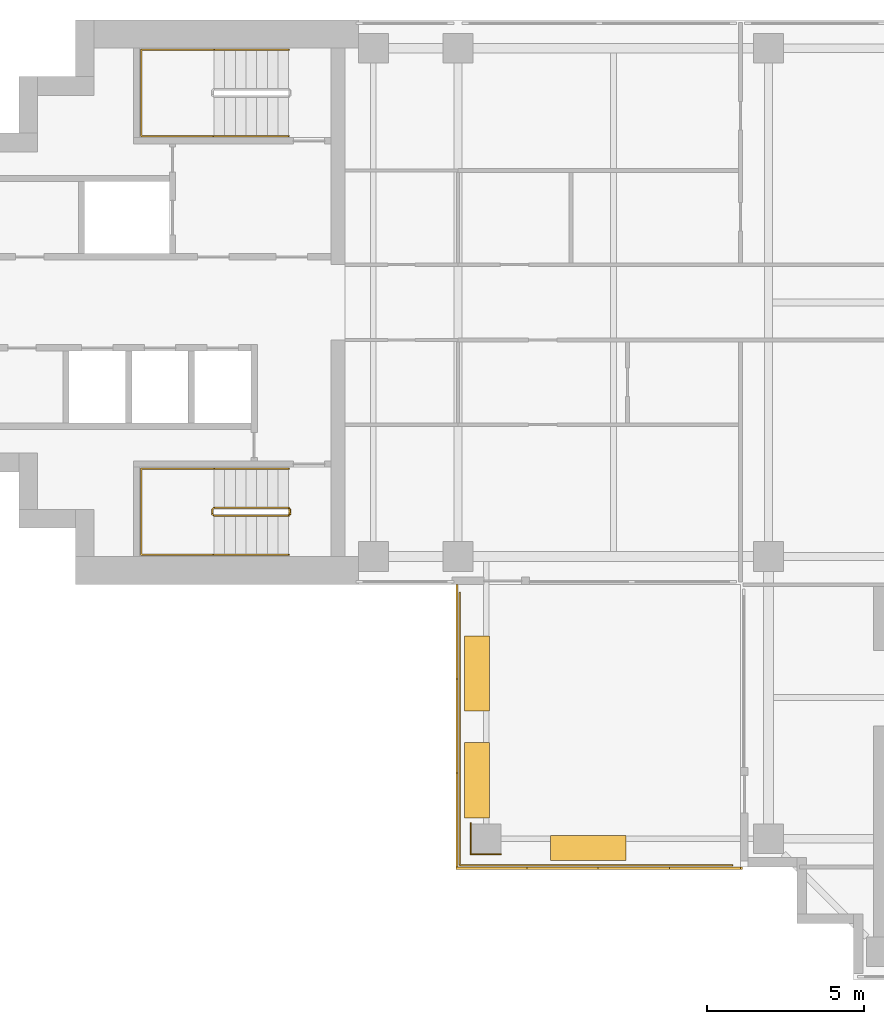
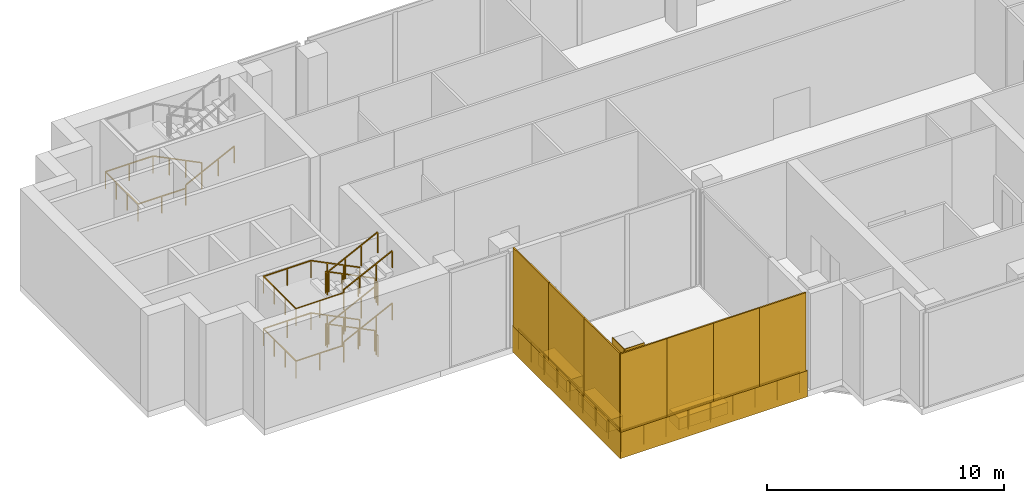
# One storey, part 10 of 12: 13 coverings, 5 railings.
"""IFC4 building model written with IfcOpenShell, lengths in metres."""

from ifc_helpers import new_model, si_unit, direction, frame, origin, origin_2d, place, context, subcontext, project, spatial, polyline, rectangle, outline, extrude, material, layer, layer_set, type_object, element, save


model = new_model("IFC4")

# Units and contexts
model_context = context("Model", 3, precision=1e-05, world=origin(), true_north=direction((0.0, 1.0)))
body_context = subcontext(model_context, "Body", "Model", "MODEL_VIEW")
ifc_project = project(units=[si_unit("LENGTHUNIT", "METRE"), si_unit("AREAUNIT", "SQUARE_METRE"), si_unit("VOLUMEUNIT", "CUBIC_METRE"), si_unit("PLANEANGLEUNIT", "RADIAN"), si_unit("MASSUNIT", "GRAM", prefix="KILO")], contexts=[model_context])

# Site, building, storey
site_placement = place(None, origin())
site = spatial("IfcSite", under=ifc_project, at=site_placement, CompositionType="ELEMENT")
building_placement = place(site_placement, origin())
building = spatial("IfcBuilding", under=site, at=building_placement, Name="Perihelion Cross Residences", CompositionType="ELEMENT")
storey_placement = place(building_placement, frame((0.0, 0.0, 222.60009765625)))
storey = spatial("IfcBuildingStorey", under=building, at=storey_placement, Name="L56", CompositionType="ELEMENT", Elevation=222.60009765625)

# Railing
ifc_material_1 = material(Name="Bronze anodised aluminium", Category="aluminium")
railing_type_1 = type_object("IfcRailingType", Name="Balcony guard 1100", PredefinedType="GUARDRAIL", material=ifc_material_1)
railing_1_placement = place(storey_placement, frame((-9.25, -17.93994140625, 0.0)))
element("IfcRailing", 1, at=railing_1_placement, inside=storey, type_object=railing_type_1, Name="Guard GU1 L56 pocket south-west 1", PredefinedType="GUARDRAIL", context=body_context, shape_type="SweptSolid", body=[
    extrude(rectangle(XDim=0.048095703125, YDim=0.048095703125, at=origin_2d()), frame((0.0, 0.0, 1.076171875), z_axis=(-1.0, 0.0, 0.0), x_axis=(0.0, -1.0, 0.0)), (0.0, 0.0, 1.0), 8.68994140625),
    extrude(rectangle(XDim=0.048095703125, YDim=0.048095703125, at=origin_2d()), frame((-8.68994140625, 0.0, 1.076171875), z_axis=(0.0, 1.0, 0.0), x_axis=(-1.0, 0.0, 0.0)), (0.0, 0.0, 1.0), 8.68994140625),
    extrude(rectangle(XDim=0.0419921875, YDim=0.0419921875, at=origin_2d()), origin(), (0.0, 0.0, 1.0), 1.052001953125),
    extrude(rectangle(XDim=0.0419921875, YDim=0.0419921875, at=origin_2d()), frame((-1.086181640625, 0.0, 0.0)), (0.0, 0.0, 1.0), 1.052001953125),
    extrude(rectangle(XDim=0.0419921875, YDim=0.0419921875, at=origin_2d()), frame((-2.17236328125, 0.0, 0.0)), (0.0, 0.0, 1.0), 1.052001953125),
    extrude(rectangle(XDim=0.0419921875, YDim=0.0419921875, at=origin_2d()), frame((-3.2587890625, 0.0, 0.0)), (0.0, 0.0, 1.0), 1.052001953125),
    extrude(rectangle(XDim=0.0419921875, YDim=0.0419921875, at=origin_2d()), frame((-4.344970703125, 0.0, 0.0)), (0.0, 0.0, 1.0), 1.052001953125),
    extrude(rectangle(XDim=0.0419921875, YDim=0.0419921875, at=origin_2d()), frame((-5.43115234375, 0.0, 0.0)), (0.0, 0.0, 1.0), 1.052001953125),
    extrude(rectangle(XDim=0.0419921875, YDim=0.0419921875, at=origin_2d()), frame((-6.517578125, 0.0, 0.0)), (0.0, 0.0, 1.0), 1.052001953125),
    extrude(rectangle(XDim=0.0419921875, YDim=0.0419921875, at=origin_2d()), frame((-7.603759765625, 0.0, 0.0)), (0.0, 0.0, 1.0), 1.052001953125),
    extrude(rectangle(XDim=0.0419921875, YDim=0.0419921875, at=origin_2d()), frame((-8.68994140625, 0.0, 0.0)), (0.0, 0.0, 1.0), 1.052001953125),
    extrude(rectangle(XDim=0.0419921875, YDim=0.0419921875, at=origin_2d()), frame((-8.68994140625, 1.086181640625, 0.0)), (0.0, 0.0, 1.0), 1.052001953125),
    extrude(rectangle(XDim=0.0419921875, YDim=0.0419921875, at=origin_2d()), frame((-8.68994140625, 2.17236328125, 0.0)), (0.0, 0.0, 1.0), 1.052001953125),
    extrude(rectangle(XDim=0.0419921875, YDim=0.0419921875, at=origin_2d()), frame((-8.68994140625, 3.2587890625, 0.0)), (0.0, 0.0, 1.0), 1.052001953125),
    extrude(rectangle(XDim=0.0419921875, YDim=0.0419921875, at=origin_2d()), frame((-8.68994140625, 4.344970703125, 0.0)), (0.0, 0.0, 1.0), 1.052001953125),
    extrude(rectangle(XDim=0.0419921875, YDim=0.0419921875, at=origin_2d()), frame((-8.68994140625, 5.43115234375, 0.0)), (0.0, 0.0, 1.0), 1.052001953125),
    extrude(rectangle(XDim=0.0419921875, YDim=0.0419921875, at=origin_2d()), frame((-8.68994140625, 6.517578125, 0.0)), (0.0, 0.0, 1.0), 1.052001953125),
    extrude(rectangle(XDim=0.0419921875, YDim=0.0419921875, at=origin_2d()), frame((-8.68994140625, 7.603759765625, 0.0)), (0.0, 0.0, 1.0), 1.052001953125),
    extrude(rectangle(XDim=0.0419921875, YDim=0.0419921875, at=origin_2d()), frame((-8.68994140625, 8.68994140625, 0.0)), (0.0, 0.0, 1.0), 1.052001953125),
])

# Coverings
ifc_material_2 = material(Name="Bronze anodised aluminium", Category="aluminium")
ifc_layer_1 = layer(ifc_material_2, 0.0400390625)
ifc_layer_set_1 = layer_set([ifc_layer_1], Name="Bronze column casing 40")
covering_type_1 = type_object("IfcCoveringType", Name="Bronze column casing 40", PredefinedType="CLADDING", material=ifc_layer_set_1)
covering_1_placement = place(storey_placement, frame((-17.594970703125, -17.10009765625, -0.300048828125), z_axis=(0.0, 0.0, 1.0), x_axis=(1.0, 0.0, 0.0)))
element("IfcCovering", 2, at=covering_1_placement, inside=storey, type_object=covering_type_1, Name="Cladding CC1 L56 casing east-west no. 1", PredefinedType="CLADDING", context=body_context, shape_type="SweptSolid", body=[
    extrude(rectangle(XDim=0.0400390625, YDim=1.030029296875, at=origin_2d()), origin(), (0.0, 0.0, 1.0), 5.25),
])
covering_2_placement = place(storey_placement, frame((-17.10009765625, -17.594970703125, -0.300048828125), z_axis=(0.0, 0.0, 1.0), x_axis=(1.0, 0.0, 0.0)))
element("IfcCovering", 3, at=covering_2_placement, inside=storey, type_object=covering_type_1, Name="Cladding CC1 L56 casing north-south no. 1", PredefinedType="CLADDING", context=body_context, shape_type="SweptSolid", body=[
    extrude(rectangle(XDim=0.949951171875, YDim=0.0400390625, at=origin_2d()), origin(), (0.0, 0.0, 1.0), 5.25),
])
ifc_material_3 = material(Name="Precast concrete C40/50", Category="concrete")
covering_type_2 = type_object("IfcCoveringType", Name="Planter box 2400", PredefinedType="USERDEFINED", material=ifc_material_3)
for number, where, z_axis, x_axis, name in (
    (4, (-13.85009765625, -17.389892578125, -0.000244140625), (0.0, 0.0, 1.0), (-1.0, 0.0, 0.0), "Planter PT1 L56 pocket south-west 1"),
    (5, (-17.389892578125, -15.22998046875, -0.000244140625), (0.0, 0.0, 1.0), (0.0, 1.0, 0.0), "Planter PT1 L56 pocket south-west 2"),
    (6, (-17.389892578125, -11.830078125, -0.000244140625), (0.0, 0.0, 1.0), (0.0, 1.0, 0.0), "Planter PT1 L56 pocket south-west 3"),
):
    element("IfcCovering", number, at=place(storey_placement, frame(where, z_axis=z_axis, x_axis=x_axis)), inside=storey, type_object=covering_type_2, Name=name, ObjectType="PLANTER", PredefinedType="USERDEFINED", context=body_context, shape_type="SweptSolid", body=[
        extrude(rectangle(XDim=2.39990234375, YDim=0.800048828125, at=origin_2d()), origin(), (0.0, 0.0, 1.0), 0.60009765625),
    ])
ifc_material_4 = material(Name="Bronze anodised aluminium", Category="aluminium")
ifc_layer_2 = layer(ifc_material_4, 0.070068359375)
ifc_layer_set_2 = layer_set([ifc_layer_2], Name="Pocket fascia 1350")
covering_type_3 = type_object("IfcCoveringType", Name="Pocket fascia 1350", PredefinedType="CLADDING", material=ifc_layer_set_2)
covering_3_placement = place(storey_placement, frame((0.0, 0.0, -0.25)))
element("IfcCovering", 7, at=covering_3_placement, inside=storey, type_object=covering_type_3, Name="Fascia BF2 L56 pocket south-west 1", PredefinedType="CLADDING", context=body_context, shape_type="SweptSolid", body=[
    extrude(outline(polyline([(-18.070068359375, -18.070068359375), (-8.929931640625, -18.070068359375), (-8.929931640625, -18.0), (-9.0, -18.0), (-9.0, -18.0), (-18.0, -18.0), (-18.0, -9.0), (-18.0, -9.0), (-18.0, -8.929931640625), (-18.070068359375, -8.929931640625), (-18.070068359375, -18.070068359375)])), origin(), (0.0, 0.0, 1.0), 1.349853515625),
])
ifc_material_5 = material(Name="Bronze perforated aluminium", Category="aluminium")
ifc_layer_3 = layer(ifc_material_5, 0.070068359375)
ifc_layer_set_3 = layer_set([ifc_layer_3], Name="Pocket solar screen, bronze perforated")
covering_type_4 = type_object("IfcCoveringType", Name="Pocket solar screen, bronze perforated", PredefinedType="CLADDING", material=ifc_layer_set_3)
covering_4_placement = place(storey_placement, frame((0.0, 0.0, 1.099853515625)))
element("IfcCovering", 8, at=covering_4_placement, inside=storey, type_object=covering_type_4, Name="Solar screen PS1 L56 pocket south-west no. 1", PredefinedType="CLADDING", context=body_context, shape_type="SweptSolid", body=[
    extrude(outline(polyline([(-18.0, -18.0), (-18.0, -15.0), (-18.070068359375, -15.0), (-18.070068359375, -18.0), (-18.0, -18.0)])), origin(), (0.0, 0.0, 1.0), 4.050048828125),
])
covering_5_placement = place(storey_placement, frame((0.0, 0.0, 1.099853515625)))
element("IfcCovering", 9, at=covering_5_placement, inside=storey, type_object=covering_type_4, Name="Solar screen PS1 L56 pocket south-west no. 2", PredefinedType="CLADDING", context=body_context, shape_type="SweptSolid", body=[
    extrude(outline(polyline([(-18.0, -15.0), (-18.0, -12.0), (-18.070068359375, -12.0), (-18.070068359375, -15.0), (-18.0, -15.0)])), origin(), (0.0, 0.0, 1.0), 4.050048828125),
])
covering_6_placement = place(storey_placement, frame((0.0, 0.0, 1.099853515625)))
element("IfcCovering", 10, at=covering_6_placement, inside=storey, type_object=covering_type_4, Name="Solar screen PS1 L56 pocket south-west no. 3", PredefinedType="CLADDING", context=body_context, shape_type="SweptSolid", body=[
    extrude(outline(polyline([(-18.0, -12.0), (-18.0, -9.0), (-18.070068359375, -9.0), (-18.070068359375, -12.0), (-18.0, -12.0)])), origin(), (0.0, 0.0, 1.0), 4.050048828125),
])
covering_7_placement = place(storey_placement, frame((0.0, 0.0, 1.099853515625)))
element("IfcCovering", 11, at=covering_7_placement, inside=storey, type_object=covering_type_4, Name="Solar screen PS1 L56 pocket south-west no. 4", PredefinedType="CLADDING", context=body_context, shape_type="SweptSolid", body=[
    extrude(outline(polyline([(-15.802490234375, -18.070068359375), (-15.802490234375, -18.0), (-18.070068359375, -18.0), (-18.070068359375, -18.070068359375), (-15.802490234375, -18.070068359375)])), origin(), (0.0, 0.0, 1.0), 4.050048828125),
])
covering_8_placement = place(storey_placement, frame((0.0, 0.0, 1.099853515625)))
element("IfcCovering", 12, at=covering_8_placement, inside=storey, type_object=covering_type_4, Name="Solar screen PS1 L56 pocket south-west no. 5", PredefinedType="CLADDING", context=body_context, shape_type="SweptSolid", body=[
    extrude(outline(polyline([(-13.534912109375, -18.070068359375), (-13.534912109375, -18.0), (-15.802490234375, -18.0), (-15.802490234375, -18.070068359375), (-13.534912109375, -18.070068359375)])), origin(), (0.0, 0.0, 1.0), 4.050048828125),
])
covering_9_placement = place(storey_placement, frame((0.0, 0.0, 1.099853515625)))
element("IfcCovering", 13, at=covering_9_placement, inside=storey, type_object=covering_type_4, Name="Solar screen PS1 L56 pocket south-west no. 6", PredefinedType="CLADDING", context=body_context, shape_type="SweptSolid", body=[
    extrude(outline(polyline([(-11.267578125, -18.070068359375), (-11.267578125, -18.0), (-13.534912109375, -18.0), (-13.534912109375, -18.070068359375), (-11.267578125, -18.070068359375)])), origin(), (0.0, 0.0, 1.0), 4.050048828125),
])
covering_10_placement = place(storey_placement, frame((0.0, 0.0, 1.099853515625)))
element("IfcCovering", 14, at=covering_10_placement, inside=storey, type_object=covering_type_4, Name="Solar screen PS1 L56 pocket south-west no. 7", PredefinedType="CLADDING", context=body_context, shape_type="SweptSolid", body=[
    extrude(outline(polyline([(-9.0, -18.070068359375), (-9.0, -18.0), (-11.267578125, -18.0), (-11.267578125, -18.070068359375), (-9.0, -18.070068359375)])), origin(), (0.0, 0.0, 1.0), 4.050048828125),
])

# Railings
ifc_material_6 = material(Name="Stainless steel", Category="steel")
railing_type_2 = type_object("IfcRailingType", Name="Stair guard 1100", PredefinedType="GUARDRAIL", material=ifc_material_6)
railing_2_placement = place(storey_placement, frame((-23.35009765625, -6.75, 0.0)))
element("IfcRailing", 15, at=railing_2_placement, inside=storey, type_object=railing_type_2, Name="L56 ST-W2 stair guard 1", PredefinedType="GUARDRAIL", context=body_context, shape_type="SweptSolid", body=[
    extrude(rectangle(XDim=0.048095703125, YDim=0.048095703125, at=origin_2d()), frame((0.0, 0.0, 1.076171875), z_axis=(0.0, 1.0, 0.0), x_axis=(-1.0, 0.0, 0.0)), (0.0, 0.0, 1.0), 0.14990234375),
    extrude(rectangle(XDim=0.048095703125, YDim=0.048095703125, at=origin_2d()), frame((0.0, 0.14990234375, 1.076171875), z_axis=(-0.272333783174, 0.273668752699, 0.922463942026), x_axis=(-0.708833529934, -0.705375805398, 0.0)), (0.0, 0.0, 1.0), 0.182861328125),
    extrude(rectangle(XDim=0.048095703125, YDim=0.048095703125, at=origin_2d()), frame((-0.0498046875, 0.199951171875, 1.24462890625), z_axis=(-0.895764654725, 0.0, 0.444528608017), x_axis=(0.0, -1.0, 0.0)), (0.0, 0.0, 1.0), 2.656982421875),
    extrude(rectangle(XDim=0.048095703125, YDim=0.048095703125, at=origin_2d()), frame((-2.429931640625, 0.199951171875, 2.42578125), z_axis=(-0.707106781187, -0.707106781187, 0.0), x_axis=(0.707106781187, -0.707106781187, 0.0)), (0.0, 0.0, 1.0), 0.07080078125),
    extrude(rectangle(XDim=0.048095703125, YDim=0.048095703125, at=origin_2d()), frame((-2.47998046875, 0.14990234375, 2.42578125), z_axis=(0.0, -1.0, 0.0), x_axis=(1.0, 0.0, 0.0)), (0.0, 0.0, 1.0), 0.14990234375),
    extrude(rectangle(XDim=0.048095703125, YDim=0.048095703125, at=origin_2d()), frame((-2.47998046875, 0.0, 2.42578125), z_axis=(0.273569069059, -0.273569069059, 0.922127935218), x_axis=(0.707106781187, 0.707106781187, 0.0)), (0.0, 0.0, 1.0), 0.182861328125),
    extrude(rectangle(XDim=0.048095703125, YDim=0.048095703125, at=origin_2d()), frame((-2.429931640625, -0.050048828125, 2.5947265625), z_axis=(0.895728066128, 0.0, 0.444602329674), x_axis=(0.0, 1.0, 0.0)), (0.0, 0.0, 1.0), 2.6572265625),
    extrude(rectangle(XDim=0.048095703125, YDim=0.048095703125, at=origin_2d()), frame((-0.0498046875, -0.050048828125, 3.77587890625), z_axis=(0.241699205484, 0.970351222016, 0.0), x_axis=(-0.970351222016, 0.241699205484, 0.0)), (0.0, 0.0, 1.0), 0.2060546875),
    extrude(rectangle(XDim=0.048095703125, YDim=0.048095703125, at=origin_2d()), frame((0.0, 0.14990234375, 3.77587890625), z_axis=(0.0, -1.0, 0.0), x_axis=(1.0, 0.0, 0.0)), (0.0, 0.0, 1.0), 0.14990234375),
    extrude(rectangle(XDim=0.048095703125, YDim=0.048095703125, at=origin_2d()), frame((0.0, 0.0, 3.77587890625), z_axis=(-0.187017651923, 0.750820867278, 0.633476458228), x_axis=(-0.970351222016, -0.241699205484, 0.0)), (0.0, 0.0, 1.0), 0.266357421875),
    extrude(rectangle(XDim=0.048095703125, YDim=0.048095703125, at=origin_2d()), frame((-0.0498046875, 0.199951171875, 3.94482421875), z_axis=(-0.895764654725, 0.0, 0.444528608017), x_axis=(0.0, -1.0, 0.0)), (0.0, 0.0, 1.0), 2.656982421875),
    extrude(rectangle(XDim=0.048095703125, YDim=0.048095703125, at=origin_2d()), frame((-2.429931640625, 0.199951171875, 5.1259765625), z_axis=(-0.707106781187, -0.707106781187, 0.0), x_axis=(0.707106781187, -0.707106781187, 0.0)), (0.0, 0.0, 1.0), 0.07080078125),
    extrude(rectangle(XDim=0.048095703125, YDim=0.048095703125, at=origin_2d()), frame((-2.47998046875, 0.14990234375, 5.1259765625), z_axis=(0.0, -1.0, 0.0), x_axis=(1.0, 0.0, 0.0)), (0.0, 0.0, 1.0), 0.14990234375),
    extrude(rectangle(XDim=0.048095703125, YDim=0.048095703125, at=origin_2d()), frame((-2.47998046875, 0.0, 5.1259765625), z_axis=(0.273232802156, -0.273232802156, 0.922327312645), x_axis=(0.707106781187, 0.707106781187, 0.0)), (0.0, 0.0, 1.0), 0.18310546875),
    extrude(rectangle(XDim=0.048095703125, YDim=0.048095703125, at=origin_2d()), frame((-2.429931640625, -0.050048828125, 5.294921875), z_axis=(0.895764654725, 0.0, 0.444528608017), x_axis=(0.0, 1.0, 0.0)), (0.0, 0.0, 1.0), 2.656982421875),
    extrude(rectangle(XDim=0.0419921875, YDim=0.0419921875, at=origin_2d()), origin(), (0.0, 0.0, 1.0), 1.052001953125),
    extrude(rectangle(XDim=0.0419921875, YDim=0.0419921875, at=origin_2d()), frame((0.0, 0.14990234375, 0.0)), (0.0, 0.0, 1.0), 1.052001953125),
    extrude(rectangle(XDim=0.0419921875, YDim=0.0419921875, at=origin_2d()), frame((-0.0498046875, 0.199951171875, 0.168701171875)), (0.0, 0.0, 1.0), 1.052001953125),
    extrude(rectangle(XDim=0.0419921875, YDim=0.0419921875, at=origin_2d()), frame((-0.84326171875, 0.199951171875, 0.5625)), (0.0, 0.0, 1.0), 1.052001953125),
    extrude(rectangle(XDim=0.0419921875, YDim=0.0419921875, at=origin_2d()), frame((-1.636474609375, 0.199951171875, 0.9560546875)), (0.0, 0.0, 1.0), 1.052001953125),
    extrude(rectangle(XDim=0.0419921875, YDim=0.0419921875, at=origin_2d()), frame((-2.429931640625, 0.199951171875, 1.349853515625)), (0.0, 0.0, 1.0), 1.052001953125),
    extrude(rectangle(XDim=0.0419921875, YDim=0.0419921875, at=origin_2d()), frame((-2.47998046875, 0.14990234375, 1.349853515625)), (0.0, 0.0, 1.0), 1.052001953125),
    extrude(rectangle(XDim=0.0419921875, YDim=0.0419921875, at=origin_2d()), frame((-2.47998046875, 0.0, 1.349853515625)), (0.0, 0.0, 1.0), 1.052001953125),
    extrude(rectangle(XDim=0.0419921875, YDim=0.0419921875, at=origin_2d()), frame((-2.429931640625, -0.050048828125, 1.5185546875)), (0.0, 0.0, 1.0), 1.052001953125),
    extrude(rectangle(XDim=0.0419921875, YDim=0.0419921875, at=origin_2d()), frame((-1.636474609375, -0.050048828125, 1.912353515625)), (0.0, 0.0, 1.0), 1.052001953125),
    extrude(rectangle(XDim=0.0419921875, YDim=0.0419921875, at=origin_2d()), frame((-0.84326171875, -0.050048828125, 2.30615234375)), (0.0, 0.0, 1.0), 1.052001953125),
    extrude(rectangle(XDim=0.0419921875, YDim=0.0419921875, at=origin_2d()), frame((-0.0498046875, -0.050048828125, 2.699951171875)), (0.0, 0.0, 1.0), 1.052001953125),
    extrude(rectangle(XDim=0.0419921875, YDim=0.0419921875, at=origin_2d()), frame((0.0, 0.14990234375, 2.699951171875)), (0.0, 0.0, 1.0), 1.052001953125),
    extrude(rectangle(XDim=0.0419921875, YDim=0.0419921875, at=origin_2d()), frame((0.0, 0.0, 2.699951171875)), (0.0, 0.0, 1.0), 1.052001953125),
    extrude(rectangle(XDim=0.0419921875, YDim=0.0419921875, at=origin_2d()), frame((-0.0498046875, 0.199951171875, 2.86865234375)), (0.0, 0.0, 1.0), 1.052001953125),
    extrude(rectangle(XDim=0.0419921875, YDim=0.0419921875, at=origin_2d()), frame((-0.84326171875, 0.199951171875, 3.262451171875)), (0.0, 0.0, 1.0), 1.052001953125),
    extrude(rectangle(XDim=0.0419921875, YDim=0.0419921875, at=origin_2d()), frame((-1.636474609375, 0.199951171875, 3.656005859375)), (0.0, 0.0, 1.0), 1.052001953125),
    extrude(rectangle(XDim=0.0419921875, YDim=0.0419921875, at=origin_2d()), frame((-2.429931640625, 0.199951171875, 4.0498046875)), (0.0, 0.0, 1.0), 1.052001953125),
    extrude(rectangle(XDim=0.0419921875, YDim=0.0419921875, at=origin_2d()), frame((-2.47998046875, 0.14990234375, 4.0498046875)), (0.0, 0.0, 1.0), 1.052001953125),
    extrude(rectangle(XDim=0.0419921875, YDim=0.0419921875, at=origin_2d()), frame((-2.47998046875, 0.0, 4.0498046875)), (0.0, 0.0, 1.0), 1.052001953125),
    extrude(rectangle(XDim=0.0419921875, YDim=0.0419921875, at=origin_2d()), frame((-2.429931640625, -0.050048828125, 4.21875)), (0.0, 0.0, 1.0), 1.052001953125),
    extrude(rectangle(XDim=0.0419921875, YDim=0.0419921875, at=origin_2d()), frame((-1.636474609375, -0.050048828125, 4.612548828125)), (0.0, 0.0, 1.0), 1.052001953125),
    extrude(rectangle(XDim=0.0419921875, YDim=0.0419921875, at=origin_2d()), frame((-0.84326171875, -0.050048828125, 5.006103515625)), (0.0, 0.0, 1.0), 1.052001953125),
    extrude(rectangle(XDim=0.0419921875, YDim=0.0419921875, at=origin_2d()), frame((-0.0498046875, -0.050048828125, 5.39990234375)), (0.0, 0.0, 1.0), 1.052001953125),
])
ifc_material_7 = material(Name="Stainless steel", Category="steel")
railing_type_3 = type_object("IfcRailingType", Name="Stair handrail 900", PredefinedType="HANDRAIL", material=ifc_material_7)
railing_3_placement = place(storey_placement, frame((-23.39990234375, 8.050048828125, 0.168701171875)))
element("IfcRailing", 16, at=railing_3_placement, inside=storey, type_object=railing_type_3, Name="L56 ST-W1 stair handrail 1", PredefinedType="HANDRAIL", context=body_context, shape_type="SweptSolid", body=[
    extrude(rectangle(XDim=0.048095703125, YDim=0.048095703125, at=origin_2d()), frame((0.0, 0.0, 0.8759765625), z_axis=(-0.895764654725, 0.0, 0.444528608017), x_axis=(0.0, -1.0, 0.0)), (0.0, 0.0, 1.0), 2.656982421875),
    extrude(rectangle(XDim=0.048095703125, YDim=0.048095703125, at=origin_2d()), frame((-2.380126953125, 0.0, 2.05712890625), z_axis=(-1.0, 0.0, 0.0), x_axis=(0.0, -1.0, 0.0)), (0.0, 0.0, 1.0), 2.320068359375),
    extrude(rectangle(XDim=0.048095703125, YDim=0.048095703125, at=origin_2d()), frame((-4.7001953125, 0.0, 2.05712890625), z_axis=(0.0, -1.0, 0.0), x_axis=(1.0, 0.0, 0.0)), (0.0, 0.0, 1.0), 2.75),
    extrude(rectangle(XDim=0.048095703125, YDim=0.048095703125, at=origin_2d()), frame((-4.7001953125, -2.75, 2.05712890625), z_axis=(1.0, 0.0, 0.0), x_axis=(0.0, 1.0, 0.0)), (0.0, 0.0, 1.0), 2.320068359375),
    extrude(rectangle(XDim=0.048095703125, YDim=0.048095703125, at=origin_2d()), frame((-2.380126953125, -2.75, 2.05712890625), z_axis=(0.0, 0.0, 1.0), x_axis=(1.0, 0.0, 0.0)), (0.0, 0.0, 1.0), 0.168701171875),
    extrude(rectangle(XDim=0.048095703125, YDim=0.048095703125, at=origin_2d()), frame((-2.380126953125, -2.75, 2.2255859375), z_axis=(0.895728066128, 0.0, 0.444602329674), x_axis=(0.0, 1.0, 0.0)), (0.0, 0.0, 1.0), 2.6572265625),
    extrude(rectangle(XDim=0.0419921875, YDim=0.0419921875, at=origin_2d()), origin(), (0.0, 0.0, 1.0), 0.851806640625),
    extrude(rectangle(XDim=0.0419921875, YDim=0.0419921875, at=origin_2d()), frame((-0.79345703125, 0.0, 0.393798828125)), (0.0, 0.0, 1.0), 0.851806640625),
    extrude(rectangle(XDim=0.0419921875, YDim=0.0419921875, at=origin_2d()), frame((-1.586669921875, 0.0, 0.787353515625)), (0.0, 0.0, 1.0), 0.851806640625),
    extrude(rectangle(XDim=0.0419921875, YDim=0.0419921875, at=origin_2d()), frame((-2.380126953125, 0.0, 1.18115234375)), (0.0, 0.0, 1.0), 0.851806640625),
    extrude(rectangle(XDim=0.0419921875, YDim=0.0419921875, at=origin_2d()), frame((-3.5400390625, 0.0, 1.18115234375)), (0.0, 0.0, 1.0), 0.851806640625),
    extrude(rectangle(XDim=0.0419921875, YDim=0.0419921875, at=origin_2d()), frame((-4.7001953125, 0.0, 1.18115234375)), (0.0, 0.0, 1.0), 0.851806640625),
    extrude(rectangle(XDim=0.0419921875, YDim=0.0419921875, at=origin_2d()), frame((-4.7001953125, -0.916748046875, 1.18115234375)), (0.0, 0.0, 1.0), 0.851806640625),
    extrude(rectangle(XDim=0.0419921875, YDim=0.0419921875, at=origin_2d()), frame((-4.7001953125, -1.833251953125, 1.18115234375)), (0.0, 0.0, 1.0), 0.851806640625),
    extrude(rectangle(XDim=0.0419921875, YDim=0.0419921875, at=origin_2d()), frame((-4.7001953125, -2.75, 1.18115234375)), (0.0, 0.0, 1.0), 0.851806640625),
    extrude(rectangle(XDim=0.0419921875, YDim=0.0419921875, at=origin_2d()), frame((-3.5400390625, -2.75, 1.18115234375)), (0.0, 0.0, 1.0), 0.851806640625),
    extrude(rectangle(XDim=0.0419921875, YDim=0.0419921875, at=origin_2d()), frame((-2.380126953125, -2.75, 1.18115234375)), (0.0, 0.0, 1.0), 0.851806640625),
    extrude(rectangle(XDim=0.0419921875, YDim=0.0419921875, at=origin_2d()), frame((-2.380126953125, -2.75, 1.349853515625)), (0.0, 0.0, 1.0), 0.851806640625),
    extrude(rectangle(XDim=0.0419921875, YDim=0.0419921875, at=origin_2d()), frame((-1.586669921875, -2.75, 1.74365234375)), (0.0, 0.0, 1.0), 0.851806640625),
    extrude(rectangle(XDim=0.0419921875, YDim=0.0419921875, at=origin_2d()), frame((-0.79345703125, -2.75, 2.137451171875)), (0.0, 0.0, 1.0), 0.851806640625),
    extrude(rectangle(XDim=0.0419921875, YDim=0.0419921875, at=origin_2d()), frame((0.0, -2.75, 2.53125)), (0.0, 0.0, 1.0), 0.851806640625),
])
railing_4_placement = place(storey_placement, frame((-23.39990234375, -5.300048828125, 0.168701171875)))
element("IfcRailing", 17, at=railing_4_placement, inside=storey, type_object=railing_type_3, Name="L56 ST-W2 stair handrail 1", PredefinedType="HANDRAIL", context=body_context, shape_type="SweptSolid", body=[
    extrude(rectangle(XDim=0.048095703125, YDim=0.048095703125, at=origin_2d()), frame((0.0, 0.0, 0.8759765625), z_axis=(-0.895764654725, 0.0, 0.444528608017), x_axis=(0.0, -1.0, 0.0)), (0.0, 0.0, 1.0), 2.656982421875),
    extrude(rectangle(XDim=0.048095703125, YDim=0.048095703125, at=origin_2d()), frame((-2.380126953125, 0.0, 2.05712890625), z_axis=(-1.0, 0.0, 0.0), x_axis=(0.0, -1.0, 0.0)), (0.0, 0.0, 1.0), 2.320068359375),
    extrude(rectangle(XDim=0.048095703125, YDim=0.048095703125, at=origin_2d()), frame((-4.7001953125, 0.0, 2.05712890625), z_axis=(0.0, -1.0, 0.0), x_axis=(1.0, 0.0, 0.0)), (0.0, 0.0, 1.0), 2.75),
    extrude(rectangle(XDim=0.048095703125, YDim=0.048095703125, at=origin_2d()), frame((-4.7001953125, -2.75, 2.05712890625), z_axis=(1.0, 0.0, 0.0), x_axis=(0.0, 1.0, 0.0)), (0.0, 0.0, 1.0), 2.320068359375),
    extrude(rectangle(XDim=0.048095703125, YDim=0.048095703125, at=origin_2d()), frame((-2.380126953125, -2.75, 2.05712890625), z_axis=(0.0, 0.0, 1.0), x_axis=(1.0, 0.0, 0.0)), (0.0, 0.0, 1.0), 0.168701171875),
    extrude(rectangle(XDim=0.048095703125, YDim=0.048095703125, at=origin_2d()), frame((-2.380126953125, -2.75, 2.2255859375), z_axis=(0.895728066128, 0.0, 0.444602329674), x_axis=(0.0, 1.0, 0.0)), (0.0, 0.0, 1.0), 2.6572265625),
    extrude(rectangle(XDim=0.0419921875, YDim=0.0419921875, at=origin_2d()), origin(), (0.0, 0.0, 1.0), 0.851806640625),
    extrude(rectangle(XDim=0.0419921875, YDim=0.0419921875, at=origin_2d()), frame((-0.79345703125, 0.0, 0.393798828125)), (0.0, 0.0, 1.0), 0.851806640625),
    extrude(rectangle(XDim=0.0419921875, YDim=0.0419921875, at=origin_2d()), frame((-1.586669921875, 0.0, 0.787353515625)), (0.0, 0.0, 1.0), 0.851806640625),
    extrude(rectangle(XDim=0.0419921875, YDim=0.0419921875, at=origin_2d()), frame((-2.380126953125, 0.0, 1.18115234375)), (0.0, 0.0, 1.0), 0.851806640625),
    extrude(rectangle(XDim=0.0419921875, YDim=0.0419921875, at=origin_2d()), frame((-3.5400390625, 0.0, 1.18115234375)), (0.0, 0.0, 1.0), 0.851806640625),
    extrude(rectangle(XDim=0.0419921875, YDim=0.0419921875, at=origin_2d()), frame((-4.7001953125, 0.0, 1.18115234375)), (0.0, 0.0, 1.0), 0.851806640625),
    extrude(rectangle(XDim=0.0419921875, YDim=0.0419921875, at=origin_2d()), frame((-4.7001953125, -0.916748046875, 1.18115234375)), (0.0, 0.0, 1.0), 0.851806640625),
    extrude(rectangle(XDim=0.0419921875, YDim=0.0419921875, at=origin_2d()), frame((-4.7001953125, -1.833251953125, 1.18115234375)), (0.0, 0.0, 1.0), 0.851806640625),
    extrude(rectangle(XDim=0.0419921875, YDim=0.0419921875, at=origin_2d()), frame((-4.7001953125, -2.75, 1.18115234375)), (0.0, 0.0, 1.0), 0.851806640625),
    extrude(rectangle(XDim=0.0419921875, YDim=0.0419921875, at=origin_2d()), frame((-3.5400390625, -2.75, 1.18115234375)), (0.0, 0.0, 1.0), 0.851806640625),
    extrude(rectangle(XDim=0.0419921875, YDim=0.0419921875, at=origin_2d()), frame((-2.380126953125, -2.75, 1.18115234375)), (0.0, 0.0, 1.0), 0.851806640625),
    extrude(rectangle(XDim=0.0419921875, YDim=0.0419921875, at=origin_2d()), frame((-2.380126953125, -2.75, 1.349853515625)), (0.0, 0.0, 1.0), 0.851806640625),
    extrude(rectangle(XDim=0.0419921875, YDim=0.0419921875, at=origin_2d()), frame((-1.586669921875, -2.75, 1.74365234375)), (0.0, 0.0, 1.0), 0.851806640625),
    extrude(rectangle(XDim=0.0419921875, YDim=0.0419921875, at=origin_2d()), frame((-0.79345703125, -2.75, 2.137451171875)), (0.0, 0.0, 1.0), 0.851806640625),
    extrude(rectangle(XDim=0.0419921875, YDim=0.0419921875, at=origin_2d()), frame((0.0, -2.75, 2.53125)), (0.0, 0.0, 1.0), 0.851806640625),
])
railing_5_placement = place(storey_placement, frame((-23.39990234375, -5.300048828125, 2.86865234375)))
element("IfcRailing", 18, at=railing_5_placement, inside=storey, type_object=railing_type_3, Name="L56 ST-W2 stair handrail 2", PredefinedType="HANDRAIL", context=body_context, shape_type="SweptSolid", body=[
    extrude(rectangle(XDim=0.048095703125, YDim=0.048095703125, at=origin_2d()), frame((0.0, 0.0, 0.8759765625), z_axis=(-0.895764654725, 0.0, 0.444528608017), x_axis=(0.0, -1.0, 0.0)), (0.0, 0.0, 1.0), 2.656982421875),
    extrude(rectangle(XDim=0.048095703125, YDim=0.048095703125, at=origin_2d()), frame((-2.380126953125, 0.0, 2.05712890625), z_axis=(-1.0, 0.0, 0.0), x_axis=(0.0, -1.0, 0.0)), (0.0, 0.0, 1.0), 2.320068359375),
    extrude(rectangle(XDim=0.048095703125, YDim=0.048095703125, at=origin_2d()), frame((-4.7001953125, 0.0, 2.05712890625), z_axis=(0.0, -1.0, 0.0), x_axis=(1.0, 0.0, 0.0)), (0.0, 0.0, 1.0), 2.75),
    extrude(rectangle(XDim=0.048095703125, YDim=0.048095703125, at=origin_2d()), frame((-4.7001953125, -2.75, 2.05712890625), z_axis=(1.0, 0.0, 0.0), x_axis=(0.0, 1.0, 0.0)), (0.0, 0.0, 1.0), 2.320068359375),
    extrude(rectangle(XDim=0.048095703125, YDim=0.048095703125, at=origin_2d()), frame((-2.380126953125, -2.75, 2.05712890625), z_axis=(0.0, 0.0, 1.0), x_axis=(1.0, 0.0, 0.0)), (0.0, 0.0, 1.0), 0.1689453125),
    extrude(rectangle(XDim=0.048095703125, YDim=0.048095703125, at=origin_2d()), frame((-2.380126953125, -2.75, 2.22607421875), z_axis=(0.895764654725, 0.0, 0.444528608017), x_axis=(0.0, 1.0, 0.0)), (0.0, 0.0, 1.0), 2.656982421875),
    extrude(rectangle(XDim=0.0419921875, YDim=0.0419921875, at=origin_2d()), origin(), (0.0, 0.0, 1.0), 0.851806640625),
    extrude(rectangle(XDim=0.0419921875, YDim=0.0419921875, at=origin_2d()), frame((-0.79345703125, 0.0, 0.393798828125)), (0.0, 0.0, 1.0), 0.851806640625),
    extrude(rectangle(XDim=0.0419921875, YDim=0.0419921875, at=origin_2d()), frame((-1.586669921875, 0.0, 0.787353515625)), (0.0, 0.0, 1.0), 0.851806640625),
    extrude(rectangle(XDim=0.0419921875, YDim=0.0419921875, at=origin_2d()), frame((-2.380126953125, 0.0, 1.18115234375)), (0.0, 0.0, 1.0), 0.851806640625),
    extrude(rectangle(XDim=0.0419921875, YDim=0.0419921875, at=origin_2d()), frame((-3.5400390625, 0.0, 1.18115234375)), (0.0, 0.0, 1.0), 0.851806640625),
    extrude(rectangle(XDim=0.0419921875, YDim=0.0419921875, at=origin_2d()), frame((-4.7001953125, 0.0, 1.18115234375)), (0.0, 0.0, 1.0), 0.851806640625),
    extrude(rectangle(XDim=0.0419921875, YDim=0.0419921875, at=origin_2d()), frame((-4.7001953125, -0.916748046875, 1.18115234375)), (0.0, 0.0, 1.0), 0.851806640625),
    extrude(rectangle(XDim=0.0419921875, YDim=0.0419921875, at=origin_2d()), frame((-4.7001953125, -1.833251953125, 1.18115234375)), (0.0, 0.0, 1.0), 0.851806640625),
    extrude(rectangle(XDim=0.0419921875, YDim=0.0419921875, at=origin_2d()), frame((-4.7001953125, -2.75, 1.18115234375)), (0.0, 0.0, 1.0), 0.851806640625),
    extrude(rectangle(XDim=0.0419921875, YDim=0.0419921875, at=origin_2d()), frame((-3.5400390625, -2.75, 1.18115234375)), (0.0, 0.0, 1.0), 0.851806640625),
    extrude(rectangle(XDim=0.0419921875, YDim=0.0419921875, at=origin_2d()), frame((-2.380126953125, -2.75, 1.18115234375)), (0.0, 0.0, 1.0), 0.851806640625),
    extrude(rectangle(XDim=0.0419921875, YDim=0.0419921875, at=origin_2d()), frame((-2.380126953125, -2.75, 1.35009765625)), (0.0, 0.0, 1.0), 0.851806640625),
    extrude(rectangle(XDim=0.0419921875, YDim=0.0419921875, at=origin_2d()), frame((-1.586669921875, -2.75, 1.743896484375)), (0.0, 0.0, 1.0), 0.851806640625),
    extrude(rectangle(XDim=0.0419921875, YDim=0.0419921875, at=origin_2d()), frame((-0.79345703125, -2.75, 2.137451171875)), (0.0, 0.0, 1.0), 0.851806640625),
    extrude(rectangle(XDim=0.0419921875, YDim=0.0419921875, at=origin_2d()), frame((0.0, -2.75, 2.53125)), (0.0, 0.0, 1.0), 0.851806640625),
])

save(model, "model.ifc")
